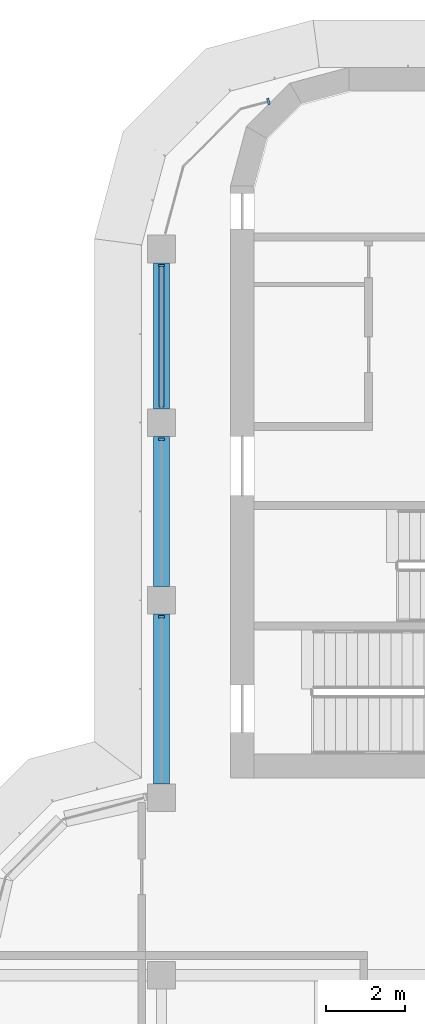
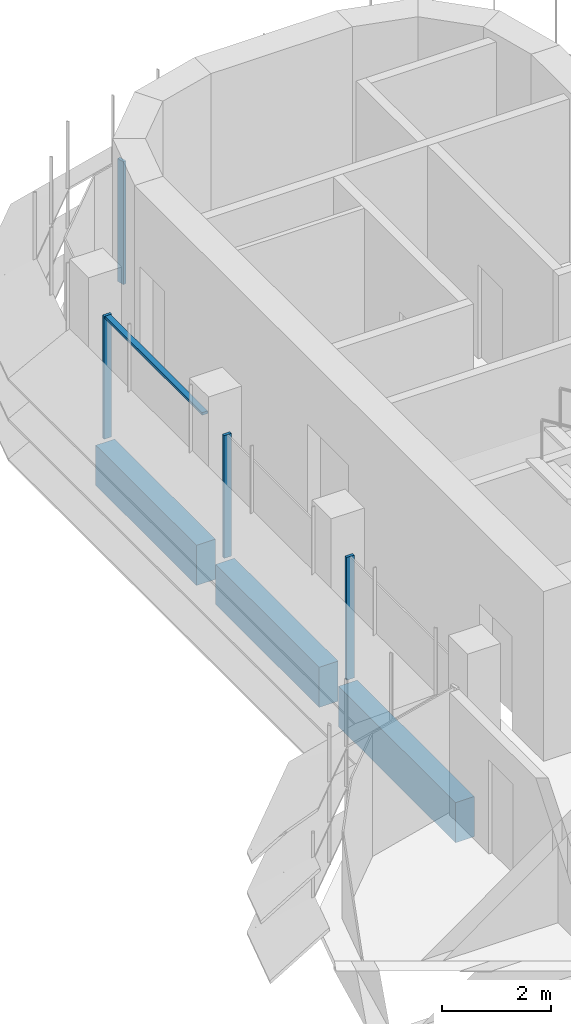
# One storey, part 7 of 19: 5 members, 3 beams, 2 elements without a shape of their own.
"""IFC4 building model written with IfcOpenShell, lengths in metres."""

from ifc_helpers import new_model, si_unit, direction, frame, origin, origin_2d, place, context, subcontext, project, spatial, polyline, rectangle, outline, extrude, source, transform, mapped, material, material_profile, profile_set, type_object, element, aggregate, save


model = new_model("IFC4")

# Units and contexts
model_context = context("Model", 3, precision=1e-05, world=origin(), true_north=direction((0.0, 1.0)))
body_context = subcontext(model_context, "Body", "Model", "MODEL_VIEW")
ifc_project = project(units=[si_unit("LENGTHUNIT", "METRE"), si_unit("AREAUNIT", "SQUARE_METRE"), si_unit("VOLUMEUNIT", "CUBIC_METRE"), si_unit("PLANEANGLEUNIT", "RADIAN"), si_unit("MASSUNIT", "GRAM", prefix="KILO")], contexts=[model_context])

# Site, building, storey
site_placement = place(None, origin())
site = spatial("IfcSite", under=ifc_project, at=site_placement, CompositionType="ELEMENT")
building_placement = place(site_placement, origin())
building = spatial("IfcBuilding", under=site, at=building_placement, Name="Zarbagh Exchange Tower", CompositionType="ELEMENT")
storey_placement = place(building_placement, frame((0.0, 0.0, 237.199951171875)))
storey = spatial("IfcBuildingStorey", under=building, at=storey_placement, Name="L58", CompositionType="ELEMENT", Elevation=237.199951171875)

# Beams
ifc_material_1 = material(Name="Concrete C50/60", Category="concrete")
ifc_material_profile = material_profile(ifc_material_1, rectangle(XDim=0.39990234375, YDim=0.89990234375, at=origin_2d()), Name="RC spandrel beam 400 x 900 C50/60")
ifc_profile_set = profile_set([ifc_material_profile], Name="Concrete C50/60")
beam_type = type_object("IfcBeamType", Name="RC spandrel beam 400 x 900 C50/60", PredefinedType="SPANDREL", material=ifc_profile_set)
beam_1_placement = place(storey_placement, frame((-6.25, 11.10009765625, -0.599853515625), z_axis=(0.0, 1.0, 0.0), x_axis=(-1.0, 0.0, 0.0)))
element("IfcBeam", 1, at=beam_1_placement, inside=storey, type_object=beam_type, Name="RC spandrel beam", PredefinedType="SPANDREL", context=body_context, shape_type="SweptSolid", body=[
    extrude(rectangle(XDim=0.39990234375, YDim=0.89990234375, at=origin_2d()), origin(), (0.0, 0.0, 1.0), 4.2998046875),
])
beam_2_placement = place(storey_placement, frame((-6.25, 16.10009765625, -0.599853515625), z_axis=(0.0, 1.0, 0.0), x_axis=(-1.0, 0.0, 0.0)))
element("IfcBeam", 2, at=beam_2_placement, inside=storey, type_object=beam_type, Name="RC spandrel beam", PredefinedType="SPANDREL", context=body_context, shape_type="SweptSolid", body=[
    extrude(rectangle(XDim=0.39990234375, YDim=0.89990234375, at=origin_2d()), origin(), (0.0, 0.0, 1.0), 3.7998046875),
])
beam_3_placement = place(storey_placement, frame((-6.25, 20.60009765625, -0.599853515625), z_axis=(0.0, 1.0, 0.0), x_axis=(-1.0, 0.0, 0.0)))
element("IfcBeam", 3, at=beam_3_placement, inside=storey, type_object=beam_type, Name="RC spandrel beam", PredefinedType="SPANDREL", context=body_context, shape_type="SweptSolid", body=[
    extrude(rectangle(XDim=0.39990234375, YDim=0.89990234375, at=origin_2d()), origin(), (0.0, 0.0, 1.0), 3.699951171875),
])

# Curtain wall, member
ifc_material_2 = material(Name="Anodised aluminium frame and glazing", Category="aluminium")
curtain_wall_type = type_object("IfcCurtainWallType", Name="CWB Ribbon glazing, upper zones", PredefinedType="NOTDEFINED", material=ifc_material_2)
curtain_wall_1_placement = place(storey_placement, origin())
curtain_wall_1 = element("IfcCurtainWall", 4, at=curtain_wall_1_placement, inside=storey, type_object=curtain_wall_type, Name="CWB70 curtain wall", PredefinedType="NOTDEFINED")
ifc_material_3 = material(Name="Anodised aluminium frame", Category="aluminium")
member_type_1 = type_object("IfcMemberType", Name="MUB Mullion, anodised aluminium frame", PredefinedType="MULLION", material=ifc_material_3)
shared_shape_1 = source(origin(), body_context, "Body", "SweptSolid", [
    extrude(outline(polyline([(0.0, -0.080078125), (0.06005859375, -0.080078125), (0.06005859375, 0.080078125), (0.0, 0.080078125), (0.0, -0.080078125)])), origin(), (0.0, 0.0, 1.0), 2.75),
])
placement = place(storey_placement, origin())
member_1 = element("IfcMember", 5, at=placement, type_object=member_type_1, Name="CWB70 mullion 1.1", PredefinedType="MULLION", context=body_context, shape_type="MappedRepresentation", body=[
    mapped(shared_shape_1, transform((-3.510009765625, 28.394775390625, 0.0), x_axis=(-0.965924289636, -0.258824779902, 0.0), y_axis=(0.258824779902, -0.965924289636, 0.0), z_axis=(0.0, 0.0, 1.0))),
])
aggregate(curtain_wall_1, [member_1])

# Curtain wall, members
curtain_wall_2_placement = place(storey_placement, origin())
curtain_wall_2 = element("IfcCurtainWall", 6, at=curtain_wall_2_placement, inside=storey, type_object=curtain_wall_type, Name="CWB73 curtain wall", PredefinedType="NOTDEFINED")
member_2 = element("IfcMember", 7, at=placement, type_object=member_type_1, Name="CWB73 mullion 1.1", PredefinedType="MULLION", context=body_context, shape_type="MappedRepresentation", body=[
    mapped(shared_shape_1, transform((-6.25, 24.260009765625, 0.0), x_axis=(0.0, -1.0, 0.0), y_axis=(1.0, 0.0, 0.0), z_axis=(0.0, 0.0, 1.0))),
])
member_3 = element("IfcMember", 8, at=placement, type_object=member_type_1, Name="CWB73 mullion 2.1", PredefinedType="MULLION", context=body_context, shape_type="MappedRepresentation", body=[
    mapped(shared_shape_1, transform((-6.25, 19.85986328125, 0.0), x_axis=(0.0, -1.0, 0.0), y_axis=(1.0, 0.0, 0.0), z_axis=(0.0, 0.0, 1.0))),
])
member_4 = element("IfcMember", 9, at=placement, type_object=member_type_1, Name="CWB73 mullion 3.1", PredefinedType="MULLION", context=body_context, shape_type="MappedRepresentation", body=[
    mapped(shared_shape_1, transform((-6.25, 15.35986328125, 0.0), x_axis=(0.0, -1.0, 0.0), y_axis=(1.0, 0.0, 0.0), z_axis=(0.0, 0.0, 1.0))),
])
member_type_2 = type_object("IfcMemberType", Name="TRB Transom, anodised aluminium frame", PredefinedType="USERDEFINED", material=ifc_material_3)
shared_shape_2 = source(origin(), body_context, "Body", "SweptSolid", [
    extrude(outline(polyline([(-0.06005859375, -0.06005859375), (0.0, -0.06005859375), (0.0, 0.06005859375), (-0.06005859375, 0.06005859375), (-0.06005859375, -0.06005859375)])), origin(), (0.0, 0.0, 1.0), 3.56005859375),
])
member_5 = element("IfcMember", 10, at=placement, type_object=member_type_2, Name="CWB73 transom 1.1", ObjectType="TRANSOM", PredefinedType="USERDEFINED", context=body_context, shape_type="MappedRepresentation", body=[
    mapped(shared_shape_2, transform((-6.25, 24.199951171875, 2.75), x_axis=(0.0, 0.0, 1.0), y_axis=(-1.0, 0.0, 0.0), z_axis=(0.0, -1.0, 0.0))),
])
aggregate(curtain_wall_2, [member_2, member_5, member_3, member_4])

save(model, "model.ifc")
